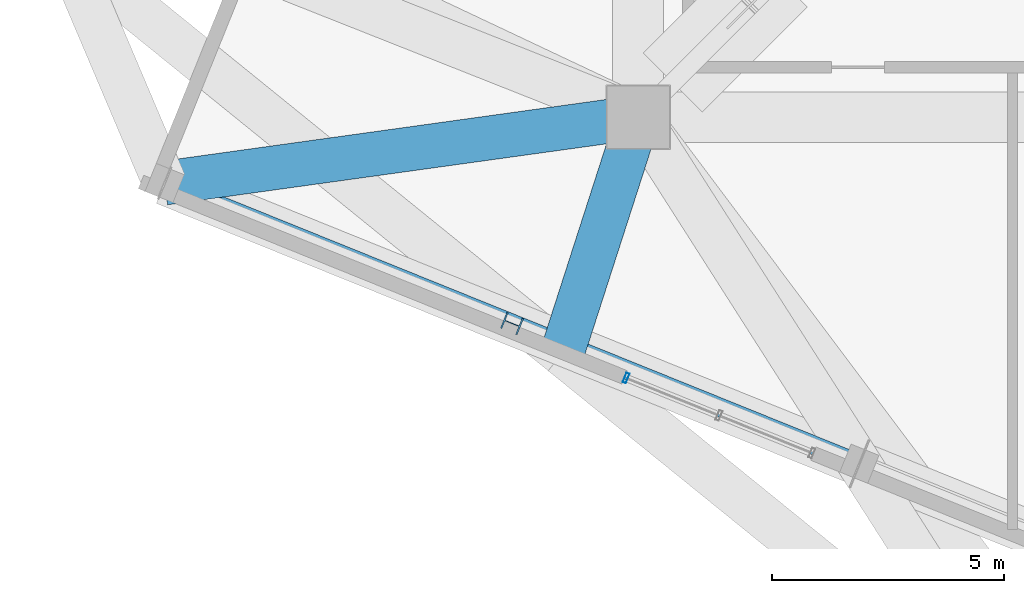
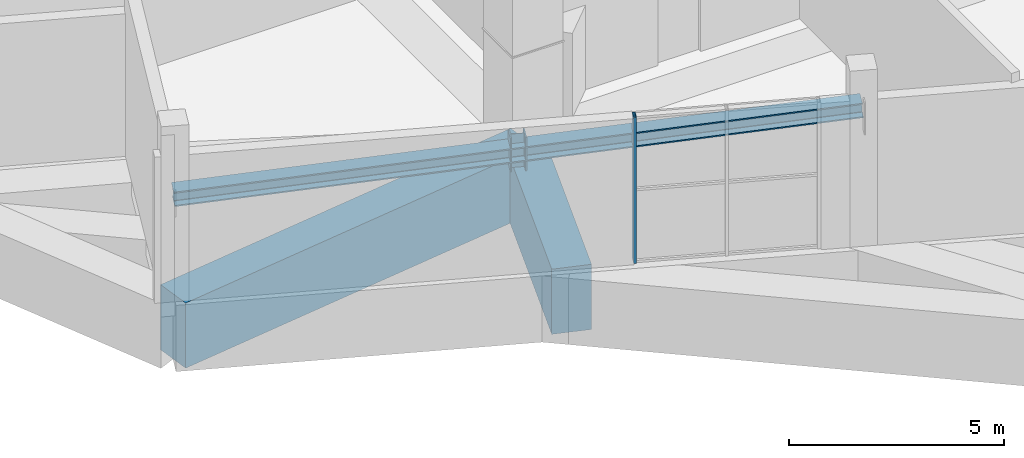
# One storey, part 2 of 20: 3 members, 2 beams, 1 element without a shape of its own.
"""IFC4 building model written with IfcOpenShell, lengths in metres."""

from ifc_helpers import new_model, si_unit, direction, frame, origin, origin_2d, place, context, subcontext, project, spatial, rectangle, hollow_rectangle, i_section, extrude, source, transform, mapped, material, layer, layer_set, material_profile, profile_set, type_object, element, aggregate, save


model = new_model("IFC4")

# Units and contexts
model_context = context("Model", 3, precision=1e-05, world=origin(), true_north=direction((0.0, 1.0)))
body_context = subcontext(model_context, "Body", "Model", "MODEL_VIEW")
ifc_project = project(units=[si_unit("LENGTHUNIT", "METRE"), si_unit("AREAUNIT", "SQUARE_METRE"), si_unit("VOLUMEUNIT", "CUBIC_METRE"), si_unit("PLANEANGLEUNIT", "RADIAN"), si_unit("MASSUNIT", "GRAM", prefix="KILO"), si_unit("THERMODYNAMICTEMPERATUREUNIT", "KELVIN")], contexts=[model_context])

# Site, building, storey
site_placement = place(None, origin())
site = spatial("IfcSite", under=ifc_project, at=site_placement, CompositionType="ELEMENT")
building_placement = place(site_placement, origin())
building = spatial("IfcBuilding", under=site, at=building_placement, Name="Kosmvard Interchange Tower", CompositionType="ELEMENT")
storey_placement = place(building_placement, frame((0.0, 0.0, 260.199951171875)))
storey = spatial("IfcBuildingStorey", under=building, at=storey_placement, Name="L63", CompositionType="ELEMENT", Elevation=260.199951171875)

# Beams
ifc_material_1 = material(Name="Concrete C60/75", Category="concrete")
ifc_material_profile_1 = material_profile(ifc_material_1, rectangle(XDim=0.949951171875, YDim=1.85009765625, at=origin_2d()), Name="TG 950x1850")
ifc_profile_set_1 = profile_set([ifc_material_profile_1], Name="Concrete C60/75")
beam_type = type_object("IfcBeamType", Name="Upper Transfer Ring Girder 950x1850 C60/75", PredefinedType="USERDEFINED", material=ifc_profile_set_1)
shared_shape_1 = source(origin(), body_context, "Body", "SweptSolid", [
    extrude(rectangle(XDim=0.949951171875, YDim=1.85009765625, at=origin_2d()), origin(), (0.0, 0.0, 1.0), 5.36279296875),
])
beam_1_placement = place(storey_placement, frame((-13.0810546875, -13.0810546875, -0.925048828125), z_axis=(-0.306747382686, -0.951790966135, 0.0), x_axis=(0.951790966135, -0.306747382686, 0.0)))
element("IfcBeam", 1, at=beam_1_placement, inside=storey, type_object=beam_type, Name="BM-L63-LD11", ObjectType="TRANSFER_GIRDER", PredefinedType="USERDEFINED", context=body_context, shape_type="MappedRepresentation", body=[
    mapped(shared_shape_1, transform((0.0, 0.0, 0.0), scale=1.0)),
])
shared_shape_2 = source(origin(), body_context, "Body", "SweptSolid", [
    extrude(rectangle(XDim=0.949951171875, YDim=1.85009765625, at=origin_2d()), origin(), (0.0, 0.0, 1.0), 10.3212890625),
])
beam_2_placement = place(storey_placement, frame((-13.0810546875, -13.0810546875, -0.925048828125), z_axis=(-0.990491735984, -0.137572239014, 0.0), x_axis=(0.137572239014, -0.990491735984, 0.0)))
element("IfcBeam", 2, at=beam_2_placement, inside=storey, type_object=beam_type, Name="BM-L63-RD10", ObjectType="TRANSFER_GIRDER", PredefinedType="USERDEFINED", context=body_context, shape_type="MappedRepresentation", body=[
    mapped(shared_shape_2, transform((0.0, 0.0, 0.0), scale=1.0)),
])

# Members
ifc_material_2 = material(Name="Steel S460", Category="steel")
ifc_material_profile_2 = material_profile(ifc_material_2, i_section(OverallWidth=0.3759765625, OverallDepth=0.386962890625, WebThickness=0.01953125, FlangeThickness=0.031982421875, FilletRadius=0.014892578125, at=origin_2d()), Name="HD 360x329")
ifc_profile_set_2 = profile_set([ifc_material_profile_2], Name="Steel S460")
member_type_1 = type_object("IfcMemberType", Name="Belt Truss Vertical Post HD 360x329 S460", PredefinedType="STUD", material=ifc_profile_set_2)
shared_shape_3 = source(origin(), body_context, "Body", "SweptSolid", [
    extrude(i_section(OverallWidth=0.3759765625, OverallDepth=0.386962890625, WebThickness=0.01953125, FlangeThickness=0.031982421875, FilletRadius=0.014892578125, at=origin_2d()), origin(), (0.0, 0.0, 1.0), 0.949951171875),
])
member_1_placement = place(storey_placement, frame((-15.805419921875, -17.53076171875, 2.820068359375), z_axis=(0.0, 0.0, 1.0), x_axis=(0.374606593416, 0.927183854567, 0.0)))
element("IfcMember", 3, at=member_1_placement, inside=storey, type_object=member_type_1, Name="L63 Belt Truss Post W1", PredefinedType="STUD", context=body_context, shape_type="MappedRepresentation", body=[
    mapped(shared_shape_3, transform((0.0, 0.0, 0.0), scale=1.0)),
])
ifc_material_profile_3 = material_profile(ifc_material_2, i_section(OverallWidth=0.406005859375, OverallDepth=0.416015625, WebThickness=0.021484375, FlangeThickness=0.034912109375, FilletRadius=0.014892578125, at=origin_2d()), Name="HD 400x382")
ifc_profile_set_3 = profile_set([ifc_material_profile_3], Name="Steel S460")
member_type_2 = type_object("IfcMemberType", Name="Perimeter Belt Truss Diagonal HD 400x382 S460", PredefinedType="BRACE", material=ifc_profile_set_3)
shared_shape_4 = source(origin(), body_context, "Body", "SweptSolid", [
    extrude(i_section(OverallWidth=0.406005859375, OverallDepth=0.416015625, WebThickness=0.021484375, FlangeThickness=0.034912109375, FilletRadius=0.014892578125, at=origin_2d()), origin(), (0.0, 0.0, 1.0), 16.202880859375),
])
member_2_placement = place(storey_placement, frame((-23.30419921875, -14.5009765625, 2.820068359375), z_axis=(0.925588617964, -0.373963175524, 0.058628096054), x_axis=(0.374607540279, 0.927183472009, 0.0)))
element("IfcMember", 4, at=member_2_placement, inside=storey, type_object=member_type_2, Name="L63 Belt Truss Diagonal W1", PredefinedType="BRACE", context=body_context, shape_type="MappedRepresentation", body=[
    mapped(shared_shape_4, transform((0.0, 0.0, 0.0), scale=1.0)),
])

# Curtain wall, member
ifc_material_3 = material(Name="Architectural anodised aluminium", Category="aluminium")
ifc_layer = layer(ifc_material_3, 0.2099609375, Name="Architectural anodised aluminium")
ifc_layer_set = layer_set([ifc_layer], Name="Architectural anodised aluminium")
curtain_wall_type = type_object("IfcCurtainWallType", Name="CW-4 Refuge Transfer Glazed Louvre Wall", PredefinedType="NOTDEFINED", material=ifc_layer_set)
curtain_wall_placement = place(storey_placement, origin())
curtain_wall = element("IfcCurtainWall", 5, at=curtain_wall_placement, inside=storey, type_object=curtain_wall_type, Name="L63 Transfer Louvre Curtain Wall W", PredefinedType="NOTDEFINED")
ifc_material_profile_4 = material_profile(ifc_material_3, hollow_rectangle(XDim=0.219970703125, YDim=0.074951171875, WallThickness=0.0048828125, at=origin_2d()), Name="CWM 220x75x5")
ifc_profile_set_4 = profile_set([ifc_material_profile_4], Name="Architectural anodised aluminium")
member_type_3 = type_object("IfcMemberType", Name="Concourse CW Mullion 220x75 Aluminium", PredefinedType="MULLION", material=ifc_profile_set_4)
shared_shape_5 = source(origin(), body_context, "Body", "SweptSolid", [
    extrude(hollow_rectangle(XDim=0.219970703125, YDim=0.074951171875, WallThickness=0.0048828125, at=origin_2d()), origin(), (0.0, 0.0, 1.0), 4.150146484375),
])
member_3_placement = place(storey_placement, frame((-13.342529296875, -18.708984375, 0.0), z_axis=(0.0, 0.0, 1.0), x_axis=(0.374606588108, 0.927183856711, 0.0)))
member_3 = element("IfcMember", 6, at=member_3_placement, type_object=member_type_3, Name="CW-4 mullion 1", PredefinedType="MULLION", context=body_context, shape_type="MappedRepresentation", body=[
    mapped(shared_shape_5, transform((0.0, 0.0, 0.0), scale=1.0)),
])
aggregate(curtain_wall, [member_3])

save(model, "model.ifc")
